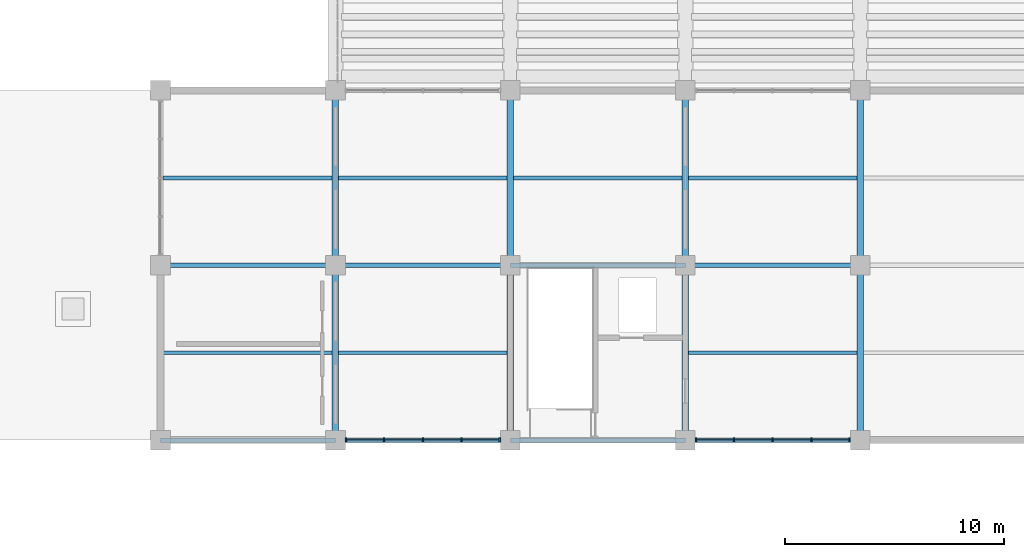
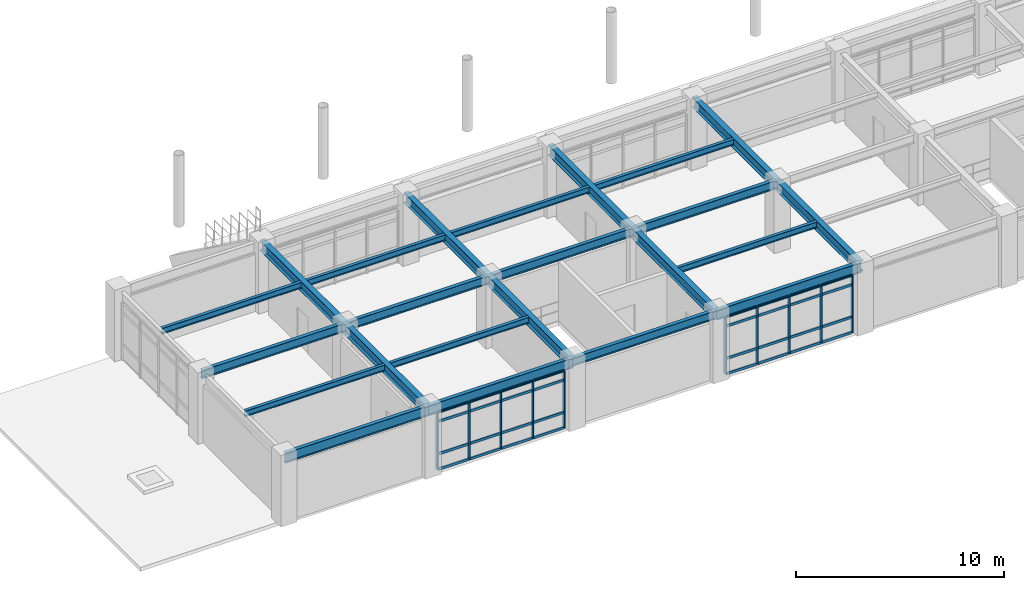
# One storey, part 21 of 118: 42 members, 23 beams, 2 elements without a shape of their own.
"""IFC4 building model written with IfcOpenShell, lengths in metres."""

from ifc_helpers import new_model, si_unit, direction, frame, origin, origin_2d, place, context, subcontext, project, spatial, rectangle, i_section, extrude, material, layer, layer_set, material_profile, profile_set, type_object, element, aggregate, save


model = new_model("IFC4")

# Units and contexts
model_context = context("Model", 3, precision=1e-05, world=origin(), true_north=direction((0.0, 1.0)))
body_context = subcontext(model_context, "Body", "Model", "MODEL_VIEW")
ifc_project = project(units=[si_unit("LENGTHUNIT", "METRE"), si_unit("AREAUNIT", "SQUARE_METRE"), si_unit("VOLUMEUNIT", "CUBIC_METRE"), si_unit("PLANEANGLEUNIT", "RADIAN"), si_unit("MASSUNIT", "GRAM", prefix="KILO")], contexts=[model_context])

# Site, building, storey
site_placement = place(None, origin())
site = spatial("IfcSite", under=ifc_project, at=site_placement, CompositionType="ELEMENT")
building_placement = place(site_placement, origin())
building = spatial("IfcBuilding", under=site, at=building_placement, Name="Haebicheon Civic Stadium", CompositionType="ELEMENT")
storey_placement = place(building_placement, frame((0.0, 0.0, 14.39990234375)))
storey = spatial("IfcBuildingStorey", under=building, at=storey_placement, Name="L04", CompositionType="ELEMENT", Elevation=14.39990234375)

# Beams
ifc_material_1 = material(Name="Steel SM355 (S355)", Category="steel")
ifc_material_profile_1 = material_profile(ifc_material_1, i_section(OverallWidth=0.199951171875, OverallDepth=0.5, WebThickness=0.010009765625, FlangeThickness=0.01611328125, at=origin_2d()), Name="H-500x200x10x16")
ifc_profile_set_1 = profile_set([ifc_material_profile_1], Name="Steel SM355 (S355)")
beam_type_1 = type_object("IfcBeamType", Name="BM-ST-H500", PredefinedType="BEAM", material=ifc_profile_set_1)
for number, where, z_axis, x_axis, name in (
    (1, (72.0, 24.0, 3.72998046875), (1.0, 0.0, 0.0), (0.0, 1.0, 0.0), "L04 beam D/10-11"),
    (2, (80.0, 24.0, 3.72998046875), (1.0, 0.0, 0.0), (0.0, 1.0, 0.0), "L04 beam D/11-12"),
    (3, (88.0, 16.0, 3.72998046875), (1.0, 0.0, 0.0), (0.0, 1.0, 0.0), "L04 beam C/12-13"),
    (4, (88.0, 24.0, 3.72998046875), (1.0, 0.0, 0.0), (0.0, 1.0, 0.0), "L04 beam D/12-13"),
    (5, (96.0, 24.0, 3.72998046875), (1.0, 0.0, 0.0), (0.0, 1.0, 0.0), "L04 beam D/13-14"),
):
    element("IfcBeam", number, at=place(storey_placement, frame(where, z_axis=z_axis, x_axis=x_axis)), inside=storey, type_object=beam_type_1, material=ifc_profile_set_1, Name=name, PredefinedType="BEAM", context=body_context, shape_type="SweptSolid", body=[
        extrude(i_section(OverallWidth=0.199951171875, OverallDepth=0.5, WebThickness=0.010009765625, FlangeThickness=0.01611328125, at=origin_2d()), origin(), (0.0, 0.0, 1.0), 8.0),
    ])
ifc_material_2 = material(Name="Steel SM355 (S355)", Category="steel")
ifc_material_profile_2 = material_profile(ifc_material_2, i_section(OverallWidth=0.300048828125, OverallDepth=0.60009765625, WebThickness=0.011962890625, FlangeThickness=0.02001953125, at=origin_2d()), Name="H-600x300x12x20")
ifc_profile_set_2 = profile_set([ifc_material_profile_2], Name="Steel SM355 (S355)")
beam_type_2 = type_object("IfcBeamType", Name="BM-ST-H600A", PredefinedType="BEAM", material=ifc_profile_set_2)
for number, where, z_axis, x_axis, name in (
    (6, (80.0, 16.0, 3.68017578125), (0.0, 1.0, 0.0), (-1.0, 0.0, 0.0), "L04 girder 11/C-D"),
    (7, (80.0, 24.0, 3.68017578125), (0.0, 1.0, 0.0), (-1.0, 0.0, 0.0), "L04 girder 11/D-E"),
    (8, (88.0, 16.0, 3.68017578125), (0.0, 1.0, 0.0), (-1.0, 0.0, 0.0), "L04 girder 12/C-D"),
    (9, (88.0, 24.0, 3.68017578125), (0.0, 1.0, 0.0), (-1.0, 0.0, 0.0), "L04 girder 12/D-E"),
    (10, (96.0, 16.0, 3.68017578125), (0.0, 1.0, 0.0), (-1.0, 0.0, 0.0), "L04 girder 13/C-D"),
    (11, (96.0, 24.0, 3.68017578125), (0.0, 1.0, 0.0), (-1.0, 0.0, 0.0), "L04 girder 13/D-E"),
    (12, (104.0, 16.0, 3.68017578125), (0.0, 1.0, 0.0), (-1.0, 0.0, 0.0), "L04 girder 14/C-D"),
    (13, (104.0, 24.0, 3.68017578125), (0.0, 1.0, 0.0), (-1.0, 0.0, 0.0), "L04 girder 14/D-E"),
):
    element("IfcBeam", number, at=place(storey_placement, frame(where, z_axis=z_axis, x_axis=x_axis)), inside=storey, type_object=beam_type_2, material=ifc_profile_set_2, Name=name, PredefinedType="BEAM", context=body_context, shape_type="SweptSolid", body=[
        extrude(i_section(OverallWidth=0.300048828125, OverallDepth=0.60009765625, WebThickness=0.011962890625, FlangeThickness=0.02001953125, at=origin_2d()), origin(), (0.0, 0.0, 1.0), 8.0),
    ])

# Curtain wall, members
ifc_material_3 = material(Name="Anodised aluminium and laminated glass", Category="aluminium")
ifc_layer = layer(ifc_material_3, 0.179931640625, Name="Anodised aluminium and laminated glass")
ifc_layer_set = layer_set([ifc_layer], Name="Anodised aluminium and laminated glass")
curtain_wall_type = type_object("IfcCurtainWallType", Name="CW-7100x3350", PredefinedType="NOTDEFINED", material=ifc_layer_set)
curtain_wall_1_placement = place(storey_placement, origin())
curtain_wall_1 = element("IfcCurtainWall", 14, at=curtain_wall_1_placement, inside=storey, type_object=curtain_wall_type, material=ifc_layer_set, Name="L04 unitised curtain wall 129", PredefinedType="NOTDEFINED")
ifc_material_4 = material(Name="Anodised aluminium 6063-T6", Category="aluminium")
ifc_material_profile_3 = material_profile(ifc_material_4, rectangle(XDim=0.070068359375, YDim=0.199951171875, at=origin_2d()), Name="ALU-MULL-70x200")
ifc_profile_set_3 = profile_set([ifc_material_profile_3], Name="Anodised aluminium 6063-T6")
member_type_1 = type_object("IfcMemberType", Name="CWM-200x70", PredefinedType="MULLION", material=ifc_profile_set_3)
member_1_placement = place(storey_placement, frame((80.485107421875, 16.0, 0.0), z_axis=(0.0, 0.0, 1.0), x_axis=(1.0, 0.0, 0.0)))
member_1 = element("IfcMember", 15, at=member_1_placement, type_object=member_type_1, material=ifc_profile_set_3, Name="CW-L04-129 vertical mullion 1", PredefinedType="MULLION", context=body_context, shape_type="SweptSolid", body=[
    extrude(rectangle(XDim=0.070068359375, YDim=0.199951171875, at=origin_2d()), origin(), (0.0, 0.0, 1.0), 3.35009765625),
])
member_2_placement = place(storey_placement, frame((82.22509765625, 16.0, 0.0), z_axis=(0.0, 0.0, 1.0), x_axis=(1.0, 0.0, 0.0)))
member_2 = element("IfcMember", 16, at=member_2_placement, type_object=member_type_1, material=ifc_profile_set_3, Name="CW-L04-129 vertical mullion 2", PredefinedType="MULLION", context=body_context, shape_type="SweptSolid", body=[
    extrude(rectangle(XDim=0.070068359375, YDim=0.199951171875, at=origin_2d()), origin(), (0.0, 0.0, 1.0), 3.35009765625),
])
member_3_placement = place(storey_placement, frame((84.0, 16.0, 0.0), z_axis=(0.0, 0.0, 1.0), x_axis=(1.0, 0.0, 0.0)))
member_3 = element("IfcMember", 17, at=member_3_placement, type_object=member_type_1, material=ifc_profile_set_3, Name="CW-L04-129 vertical mullion 3", PredefinedType="MULLION", context=body_context, shape_type="SweptSolid", body=[
    extrude(rectangle(XDim=0.070068359375, YDim=0.199951171875, at=origin_2d()), origin(), (0.0, 0.0, 1.0), 3.35009765625),
])
member_4_placement = place(storey_placement, frame((85.77490234375, 16.0, 0.0), z_axis=(0.0, 0.0, 1.0), x_axis=(1.0, 0.0, 0.0)))
member_4 = element("IfcMember", 18, at=member_4_placement, type_object=member_type_1, material=ifc_profile_set_3, Name="CW-L04-129 vertical mullion 4", PredefinedType="MULLION", context=body_context, shape_type="SweptSolid", body=[
    extrude(rectangle(XDim=0.070068359375, YDim=0.199951171875, at=origin_2d()), origin(), (0.0, 0.0, 1.0), 3.35009765625),
])
member_5_placement = place(storey_placement, frame((87.514892578125, 16.0, 0.0), z_axis=(0.0, 0.0, 1.0), x_axis=(1.0, 0.0, 0.0)))
member_5 = element("IfcMember", 19, at=member_5_placement, type_object=member_type_1, material=ifc_profile_set_3, Name="CW-L04-129 vertical mullion 5", PredefinedType="MULLION", context=body_context, shape_type="SweptSolid", body=[
    extrude(rectangle(XDim=0.070068359375, YDim=0.199951171875, at=origin_2d()), origin(), (0.0, 0.0, 1.0), 3.35009765625),
])

curtain_wall_2_placement = place(storey_placement, origin())
curtain_wall_2 = element("IfcCurtainWall", 20, at=curtain_wall_2_placement, inside=storey, type_object=curtain_wall_type, material=ifc_layer_set, Name="L04 unitised curtain wall 132", PredefinedType="NOTDEFINED")
member_6_placement = place(storey_placement, frame((96.485107421875, 16.0, 0.0), z_axis=(0.0, 0.0, 1.0), x_axis=(1.0, 0.0, 0.0)))
member_6 = element("IfcMember", 21, at=member_6_placement, type_object=member_type_1, material=ifc_profile_set_3, Name="CW-L04-132 vertical mullion 1", PredefinedType="MULLION", context=body_context, shape_type="SweptSolid", body=[
    extrude(rectangle(XDim=0.070068359375, YDim=0.199951171875, at=origin_2d()), origin(), (0.0, 0.0, 1.0), 3.35009765625),
])
member_7_placement = place(storey_placement, frame((98.22509765625, 16.0, 0.0), z_axis=(0.0, 0.0, 1.0), x_axis=(1.0, 0.0, 0.0)))
member_7 = element("IfcMember", 22, at=member_7_placement, type_object=member_type_1, material=ifc_profile_set_3, Name="CW-L04-132 vertical mullion 2", PredefinedType="MULLION", context=body_context, shape_type="SweptSolid", body=[
    extrude(rectangle(XDim=0.070068359375, YDim=0.199951171875, at=origin_2d()), origin(), (0.0, 0.0, 1.0), 3.35009765625),
])
member_8_placement = place(storey_placement, frame((100.0, 16.0, 0.0), z_axis=(0.0, 0.0, 1.0), x_axis=(1.0, 0.0, 0.0)))
member_8 = element("IfcMember", 23, at=member_8_placement, type_object=member_type_1, material=ifc_profile_set_3, Name="CW-L04-132 vertical mullion 3", PredefinedType="MULLION", context=body_context, shape_type="SweptSolid", body=[
    extrude(rectangle(XDim=0.070068359375, YDim=0.199951171875, at=origin_2d()), origin(), (0.0, 0.0, 1.0), 3.35009765625),
])
member_9_placement = place(storey_placement, frame((101.77490234375, 16.0, 0.0), z_axis=(0.0, 0.0, 1.0), x_axis=(1.0, 0.0, 0.0)))
member_9 = element("IfcMember", 24, at=member_9_placement, type_object=member_type_1, material=ifc_profile_set_3, Name="CW-L04-132 vertical mullion 4", PredefinedType="MULLION", context=body_context, shape_type="SweptSolid", body=[
    extrude(rectangle(XDim=0.070068359375, YDim=0.199951171875, at=origin_2d()), origin(), (0.0, 0.0, 1.0), 3.35009765625),
])
member_10_placement = place(storey_placement, frame((103.514892578125, 16.0, 0.0), z_axis=(0.0, 0.0, 1.0), x_axis=(1.0, 0.0, 0.0)))
member_10 = element("IfcMember", 25, at=member_10_placement, type_object=member_type_1, material=ifc_profile_set_3, Name="CW-L04-132 vertical mullion 5", PredefinedType="MULLION", context=body_context, shape_type="SweptSolid", body=[
    extrude(rectangle(XDim=0.070068359375, YDim=0.199951171875, at=origin_2d()), origin(), (0.0, 0.0, 1.0), 3.35009765625),
])

# Member
ifc_material_5 = material(Name="Anodised aluminium 6063-T6", Category="aluminium")
ifc_material_profile_4 = material_profile(ifc_material_5, rectangle(XDim=0.070068359375, YDim=0.14990234375, at=origin_2d()), Name="ALU-TRAN-70x150")
ifc_profile_set_4 = profile_set([ifc_material_profile_4], Name="Anodised aluminium 6063-T6")
member_type_2 = type_object("IfcMemberType", Name="CWT-150x70", PredefinedType="NOTDEFINED", material=ifc_profile_set_4)
member_11_placement = place(storey_placement, frame((80.52001953125, 16.0, 0.0), z_axis=(1.0, 0.0, 0.0), x_axis=(0.0, 1.0, 0.0)))
member_11 = element("IfcMember", 26, at=member_11_placement, type_object=member_type_2, material=ifc_profile_set_4, Name="CW-L04-129 horizontal transom 1.1", ObjectType="TRANSOM", PredefinedType="USERDEFINED", context=body_context, shape_type="SweptSolid", body=[
    extrude(rectangle(XDim=0.070068359375, YDim=0.14990234375, at=origin_2d()), origin(), (0.0, 0.0, 1.0), 1.669921875),
])

member_12_placement = place(storey_placement, frame((80.52001953125, 16.0, 0.900146484375), z_axis=(1.0, 0.0, 0.0), x_axis=(0.0, 1.0, 0.0)))
member_12 = element("IfcMember", 27, at=member_12_placement, type_object=member_type_2, material=ifc_profile_set_4, Name="CW-L04-129 horizontal transom 1.2", ObjectType="TRANSOM", PredefinedType="USERDEFINED", context=body_context, shape_type="SweptSolid", body=[
    extrude(rectangle(XDim=0.070068359375, YDim=0.14990234375, at=origin_2d()), origin(), (0.0, 0.0, 1.0), 1.669921875),
])

member_13_placement = place(storey_placement, frame((80.52001953125, 16.0, 2.800048828125), z_axis=(1.0, 0.0, 0.0), x_axis=(0.0, 1.0, 0.0)))
member_13 = element("IfcMember", 28, at=member_13_placement, type_object=member_type_2, material=ifc_profile_set_4, Name="CW-L04-129 horizontal transom 1.3", ObjectType="TRANSOM", PredefinedType="USERDEFINED", context=body_context, shape_type="SweptSolid", body=[
    extrude(rectangle(XDim=0.070068359375, YDim=0.14990234375, at=origin_2d()), origin(), (0.0, 0.0, 1.0), 1.669921875),
])

member_14_placement = place(storey_placement, frame((80.52001953125, 16.0, 3.35009765625), z_axis=(1.0, 0.0, 0.0), x_axis=(0.0, 1.0, 0.0)))
member_14 = element("IfcMember", 29, at=member_14_placement, type_object=member_type_2, material=ifc_profile_set_4, Name="CW-L04-129 horizontal transom 1.4", ObjectType="TRANSOM", PredefinedType="USERDEFINED", context=body_context, shape_type="SweptSolid", body=[
    extrude(rectangle(XDim=0.070068359375, YDim=0.14990234375, at=origin_2d()), origin(), (0.0, 0.0, 1.0), 1.669921875),
])

member_15_placement = place(storey_placement, frame((82.260009765625, 16.0, 0.0), z_axis=(1.0, 0.0, 0.0), x_axis=(0.0, 1.0, 0.0)))
member_15 = element("IfcMember", 30, at=member_15_placement, type_object=member_type_2, material=ifc_profile_set_4, Name="CW-L04-129 horizontal transom 2.1", ObjectType="TRANSOM", PredefinedType="USERDEFINED", context=body_context, shape_type="SweptSolid", body=[
    extrude(rectangle(XDim=0.070068359375, YDim=0.14990234375, at=origin_2d()), origin(), (0.0, 0.0, 1.0), 1.705078125),
])

member_16_placement = place(storey_placement, frame((82.260009765625, 16.0, 0.900146484375), z_axis=(1.0, 0.0, 0.0), x_axis=(0.0, 1.0, 0.0)))
member_16 = element("IfcMember", 31, at=member_16_placement, type_object=member_type_2, material=ifc_profile_set_4, Name="CW-L04-129 horizontal transom 2.2", ObjectType="TRANSOM", PredefinedType="USERDEFINED", context=body_context, shape_type="SweptSolid", body=[
    extrude(rectangle(XDim=0.070068359375, YDim=0.14990234375, at=origin_2d()), origin(), (0.0, 0.0, 1.0), 1.705078125),
])

member_17_placement = place(storey_placement, frame((82.260009765625, 16.0, 2.800048828125), z_axis=(1.0, 0.0, 0.0), x_axis=(0.0, 1.0, 0.0)))
member_17 = element("IfcMember", 32, at=member_17_placement, type_object=member_type_2, material=ifc_profile_set_4, Name="CW-L04-129 horizontal transom 2.3", ObjectType="TRANSOM", PredefinedType="USERDEFINED", context=body_context, shape_type="SweptSolid", body=[
    extrude(rectangle(XDim=0.070068359375, YDim=0.14990234375, at=origin_2d()), origin(), (0.0, 0.0, 1.0), 1.705078125),
])

member_18_placement = place(storey_placement, frame((82.260009765625, 16.0, 3.35009765625), z_axis=(1.0, 0.0, 0.0), x_axis=(0.0, 1.0, 0.0)))
member_18 = element("IfcMember", 33, at=member_18_placement, type_object=member_type_2, material=ifc_profile_set_4, Name="CW-L04-129 horizontal transom 2.4", ObjectType="TRANSOM", PredefinedType="USERDEFINED", context=body_context, shape_type="SweptSolid", body=[
    extrude(rectangle(XDim=0.070068359375, YDim=0.14990234375, at=origin_2d()), origin(), (0.0, 0.0, 1.0), 1.705078125),
])

member_19_placement = place(storey_placement, frame((84.034912109375, 16.0, 0.0), z_axis=(1.0, 0.0, 0.0), x_axis=(0.0, 1.0, 0.0)))
member_19 = element("IfcMember", 34, at=member_19_placement, type_object=member_type_2, material=ifc_profile_set_4, Name="CW-L04-129 horizontal transom 3.1", ObjectType="TRANSOM", PredefinedType="USERDEFINED", context=body_context, shape_type="SweptSolid", body=[
    extrude(rectangle(XDim=0.070068359375, YDim=0.14990234375, at=origin_2d()), origin(), (0.0, 0.0, 1.0), 1.705078125),
])

member_20_placement = place(storey_placement, frame((84.034912109375, 16.0, 0.900146484375), z_axis=(1.0, 0.0, 0.0), x_axis=(0.0, 1.0, 0.0)))
member_20 = element("IfcMember", 35, at=member_20_placement, type_object=member_type_2, material=ifc_profile_set_4, Name="CW-L04-129 horizontal transom 3.2", ObjectType="TRANSOM", PredefinedType="USERDEFINED", context=body_context, shape_type="SweptSolid", body=[
    extrude(rectangle(XDim=0.070068359375, YDim=0.14990234375, at=origin_2d()), origin(), (0.0, 0.0, 1.0), 1.705078125),
])

member_21_placement = place(storey_placement, frame((84.034912109375, 16.0, 2.800048828125), z_axis=(1.0, 0.0, 0.0), x_axis=(0.0, 1.0, 0.0)))
member_21 = element("IfcMember", 36, at=member_21_placement, type_object=member_type_2, material=ifc_profile_set_4, Name="CW-L04-129 horizontal transom 3.3", ObjectType="TRANSOM", PredefinedType="USERDEFINED", context=body_context, shape_type="SweptSolid", body=[
    extrude(rectangle(XDim=0.070068359375, YDim=0.14990234375, at=origin_2d()), origin(), (0.0, 0.0, 1.0), 1.705078125),
])

member_22_placement = place(storey_placement, frame((84.034912109375, 16.0, 3.35009765625), z_axis=(1.0, 0.0, 0.0), x_axis=(0.0, 1.0, 0.0)))
member_22 = element("IfcMember", 37, at=member_22_placement, type_object=member_type_2, material=ifc_profile_set_4, Name="CW-L04-129 horizontal transom 3.4", ObjectType="TRANSOM", PredefinedType="USERDEFINED", context=body_context, shape_type="SweptSolid", body=[
    extrude(rectangle(XDim=0.070068359375, YDim=0.14990234375, at=origin_2d()), origin(), (0.0, 0.0, 1.0), 1.705078125),
])

member_23_placement = place(storey_placement, frame((85.81005859375, 16.0, 0.0), z_axis=(1.0, 0.0, 0.0), x_axis=(0.0, 1.0, 0.0)))
member_23 = element("IfcMember", 38, at=member_23_placement, type_object=member_type_2, material=ifc_profile_set_4, Name="CW-L04-129 horizontal transom 4.1", ObjectType="TRANSOM", PredefinedType="USERDEFINED", context=body_context, shape_type="SweptSolid", body=[
    extrude(rectangle(XDim=0.070068359375, YDim=0.14990234375, at=origin_2d()), origin(), (0.0, 0.0, 1.0), 1.669921875),
])

member_24_placement = place(storey_placement, frame((85.81005859375, 16.0, 0.900146484375), z_axis=(1.0, 0.0, 0.0), x_axis=(0.0, 1.0, 0.0)))
member_24 = element("IfcMember", 39, at=member_24_placement, type_object=member_type_2, material=ifc_profile_set_4, Name="CW-L04-129 horizontal transom 4.2", ObjectType="TRANSOM", PredefinedType="USERDEFINED", context=body_context, shape_type="SweptSolid", body=[
    extrude(rectangle(XDim=0.070068359375, YDim=0.14990234375, at=origin_2d()), origin(), (0.0, 0.0, 1.0), 1.669921875),
])

member_25_placement = place(storey_placement, frame((85.81005859375, 16.0, 2.800048828125), z_axis=(1.0, 0.0, 0.0), x_axis=(0.0, 1.0, 0.0)))
member_25 = element("IfcMember", 40, at=member_25_placement, type_object=member_type_2, material=ifc_profile_set_4, Name="CW-L04-129 horizontal transom 4.3", ObjectType="TRANSOM", PredefinedType="USERDEFINED", context=body_context, shape_type="SweptSolid", body=[
    extrude(rectangle(XDim=0.070068359375, YDim=0.14990234375, at=origin_2d()), origin(), (0.0, 0.0, 1.0), 1.669921875),
])

member_26_placement = place(storey_placement, frame((85.81005859375, 16.0, 3.35009765625), z_axis=(1.0, 0.0, 0.0), x_axis=(0.0, 1.0, 0.0)))
member_26 = element("IfcMember", 41, at=member_26_placement, type_object=member_type_2, material=ifc_profile_set_4, Name="CW-L04-129 horizontal transom 4.4", ObjectType="TRANSOM", PredefinedType="USERDEFINED", context=body_context, shape_type="SweptSolid", body=[
    extrude(rectangle(XDim=0.070068359375, YDim=0.14990234375, at=origin_2d()), origin(), (0.0, 0.0, 1.0), 1.669921875),
])

aggregate(curtain_wall_1, [member_1, member_2, member_3, member_4, member_5, member_11, member_12, member_13, member_14, member_15, member_16, member_17, member_18, member_19, member_20, member_21, member_22, member_23, member_24, member_25, member_26])

member_27_placement = place(storey_placement, frame((96.52001953125, 16.0, 0.0), z_axis=(1.0, 0.0, 0.0), x_axis=(0.0, 1.0, 0.0)))
member_27 = element("IfcMember", 42, at=member_27_placement, type_object=member_type_2, material=ifc_profile_set_4, Name="CW-L04-132 horizontal transom 1.1", ObjectType="TRANSOM", PredefinedType="USERDEFINED", context=body_context, shape_type="SweptSolid", body=[
    extrude(rectangle(XDim=0.070068359375, YDim=0.14990234375, at=origin_2d()), origin(), (0.0, 0.0, 1.0), 1.669921875),
])

member_28_placement = place(storey_placement, frame((96.52001953125, 16.0, 0.900146484375), z_axis=(1.0, 0.0, 0.0), x_axis=(0.0, 1.0, 0.0)))
member_28 = element("IfcMember", 43, at=member_28_placement, type_object=member_type_2, material=ifc_profile_set_4, Name="CW-L04-132 horizontal transom 1.2", ObjectType="TRANSOM", PredefinedType="USERDEFINED", context=body_context, shape_type="SweptSolid", body=[
    extrude(rectangle(XDim=0.070068359375, YDim=0.14990234375, at=origin_2d()), origin(), (0.0, 0.0, 1.0), 1.669921875),
])

member_29_placement = place(storey_placement, frame((96.52001953125, 16.0, 2.800048828125), z_axis=(1.0, 0.0, 0.0), x_axis=(0.0, 1.0, 0.0)))
member_29 = element("IfcMember", 44, at=member_29_placement, type_object=member_type_2, material=ifc_profile_set_4, Name="CW-L04-132 horizontal transom 1.3", ObjectType="TRANSOM", PredefinedType="USERDEFINED", context=body_context, shape_type="SweptSolid", body=[
    extrude(rectangle(XDim=0.070068359375, YDim=0.14990234375, at=origin_2d()), origin(), (0.0, 0.0, 1.0), 1.669921875),
])

member_30_placement = place(storey_placement, frame((96.52001953125, 16.0, 3.35009765625), z_axis=(1.0, 0.0, 0.0), x_axis=(0.0, 1.0, 0.0)))
member_30 = element("IfcMember", 45, at=member_30_placement, type_object=member_type_2, material=ifc_profile_set_4, Name="CW-L04-132 horizontal transom 1.4", ObjectType="TRANSOM", PredefinedType="USERDEFINED", context=body_context, shape_type="SweptSolid", body=[
    extrude(rectangle(XDim=0.070068359375, YDim=0.14990234375, at=origin_2d()), origin(), (0.0, 0.0, 1.0), 1.669921875),
])

member_31_placement = place(storey_placement, frame((98.260009765625, 16.0, 0.0), z_axis=(1.0, 0.0, 0.0), x_axis=(0.0, 1.0, 0.0)))
member_31 = element("IfcMember", 46, at=member_31_placement, type_object=member_type_2, material=ifc_profile_set_4, Name="CW-L04-132 horizontal transom 2.1", ObjectType="TRANSOM", PredefinedType="USERDEFINED", context=body_context, shape_type="SweptSolid", body=[
    extrude(rectangle(XDim=0.070068359375, YDim=0.14990234375, at=origin_2d()), origin(), (0.0, 0.0, 1.0), 1.705078125),
])

member_32_placement = place(storey_placement, frame((98.260009765625, 16.0, 0.900146484375), z_axis=(1.0, 0.0, 0.0), x_axis=(0.0, 1.0, 0.0)))
member_32 = element("IfcMember", 47, at=member_32_placement, type_object=member_type_2, material=ifc_profile_set_4, Name="CW-L04-132 horizontal transom 2.2", ObjectType="TRANSOM", PredefinedType="USERDEFINED", context=body_context, shape_type="SweptSolid", body=[
    extrude(rectangle(XDim=0.070068359375, YDim=0.14990234375, at=origin_2d()), origin(), (0.0, 0.0, 1.0), 1.705078125),
])

member_33_placement = place(storey_placement, frame((98.260009765625, 16.0, 2.800048828125), z_axis=(1.0, 0.0, 0.0), x_axis=(0.0, 1.0, 0.0)))
member_33 = element("IfcMember", 48, at=member_33_placement, type_object=member_type_2, material=ifc_profile_set_4, Name="CW-L04-132 horizontal transom 2.3", ObjectType="TRANSOM", PredefinedType="USERDEFINED", context=body_context, shape_type="SweptSolid", body=[
    extrude(rectangle(XDim=0.070068359375, YDim=0.14990234375, at=origin_2d()), origin(), (0.0, 0.0, 1.0), 1.705078125),
])

member_34_placement = place(storey_placement, frame((98.260009765625, 16.0, 3.35009765625), z_axis=(1.0, 0.0, 0.0), x_axis=(0.0, 1.0, 0.0)))
member_34 = element("IfcMember", 49, at=member_34_placement, type_object=member_type_2, material=ifc_profile_set_4, Name="CW-L04-132 horizontal transom 2.4", ObjectType="TRANSOM", PredefinedType="USERDEFINED", context=body_context, shape_type="SweptSolid", body=[
    extrude(rectangle(XDim=0.070068359375, YDim=0.14990234375, at=origin_2d()), origin(), (0.0, 0.0, 1.0), 1.705078125),
])

member_35_placement = place(storey_placement, frame((100.034912109375, 16.0, 0.0), z_axis=(1.0, 0.0, 0.0), x_axis=(0.0, 1.0, 0.0)))
member_35 = element("IfcMember", 50, at=member_35_placement, type_object=member_type_2, material=ifc_profile_set_4, Name="CW-L04-132 horizontal transom 3.1", ObjectType="TRANSOM", PredefinedType="USERDEFINED", context=body_context, shape_type="SweptSolid", body=[
    extrude(rectangle(XDim=0.070068359375, YDim=0.14990234375, at=origin_2d()), origin(), (0.0, 0.0, 1.0), 1.705078125),
])

member_36_placement = place(storey_placement, frame((100.034912109375, 16.0, 0.900146484375), z_axis=(1.0, 0.0, 0.0), x_axis=(0.0, 1.0, 0.0)))
member_36 = element("IfcMember", 51, at=member_36_placement, type_object=member_type_2, material=ifc_profile_set_4, Name="CW-L04-132 horizontal transom 3.2", ObjectType="TRANSOM", PredefinedType="USERDEFINED", context=body_context, shape_type="SweptSolid", body=[
    extrude(rectangle(XDim=0.070068359375, YDim=0.14990234375, at=origin_2d()), origin(), (0.0, 0.0, 1.0), 1.705078125),
])

member_37_placement = place(storey_placement, frame((100.034912109375, 16.0, 2.800048828125), z_axis=(1.0, 0.0, 0.0), x_axis=(0.0, 1.0, 0.0)))
member_37 = element("IfcMember", 52, at=member_37_placement, type_object=member_type_2, material=ifc_profile_set_4, Name="CW-L04-132 horizontal transom 3.3", ObjectType="TRANSOM", PredefinedType="USERDEFINED", context=body_context, shape_type="SweptSolid", body=[
    extrude(rectangle(XDim=0.070068359375, YDim=0.14990234375, at=origin_2d()), origin(), (0.0, 0.0, 1.0), 1.705078125),
])

member_38_placement = place(storey_placement, frame((100.034912109375, 16.0, 3.35009765625), z_axis=(1.0, 0.0, 0.0), x_axis=(0.0, 1.0, 0.0)))
member_38 = element("IfcMember", 53, at=member_38_placement, type_object=member_type_2, material=ifc_profile_set_4, Name="CW-L04-132 horizontal transom 3.4", ObjectType="TRANSOM", PredefinedType="USERDEFINED", context=body_context, shape_type="SweptSolid", body=[
    extrude(rectangle(XDim=0.070068359375, YDim=0.14990234375, at=origin_2d()), origin(), (0.0, 0.0, 1.0), 1.705078125),
])

member_39_placement = place(storey_placement, frame((101.81005859375, 16.0, 0.0), z_axis=(1.0, 0.0, 0.0), x_axis=(0.0, 1.0, 0.0)))
member_39 = element("IfcMember", 54, at=member_39_placement, type_object=member_type_2, material=ifc_profile_set_4, Name="CW-L04-132 horizontal transom 4.1", ObjectType="TRANSOM", PredefinedType="USERDEFINED", context=body_context, shape_type="SweptSolid", body=[
    extrude(rectangle(XDim=0.070068359375, YDim=0.14990234375, at=origin_2d()), origin(), (0.0, 0.0, 1.0), 1.669921875),
])

member_40_placement = place(storey_placement, frame((101.81005859375, 16.0, 0.900146484375), z_axis=(1.0, 0.0, 0.0), x_axis=(0.0, 1.0, 0.0)))
member_40 = element("IfcMember", 55, at=member_40_placement, type_object=member_type_2, material=ifc_profile_set_4, Name="CW-L04-132 horizontal transom 4.2", ObjectType="TRANSOM", PredefinedType="USERDEFINED", context=body_context, shape_type="SweptSolid", body=[
    extrude(rectangle(XDim=0.070068359375, YDim=0.14990234375, at=origin_2d()), origin(), (0.0, 0.0, 1.0), 1.669921875),
])

member_41_placement = place(storey_placement, frame((101.81005859375, 16.0, 2.800048828125), z_axis=(1.0, 0.0, 0.0), x_axis=(0.0, 1.0, 0.0)))
member_41 = element("IfcMember", 56, at=member_41_placement, type_object=member_type_2, material=ifc_profile_set_4, Name="CW-L04-132 horizontal transom 4.3", ObjectType="TRANSOM", PredefinedType="USERDEFINED", context=body_context, shape_type="SweptSolid", body=[
    extrude(rectangle(XDim=0.070068359375, YDim=0.14990234375, at=origin_2d()), origin(), (0.0, 0.0, 1.0), 1.669921875),
])

member_42_placement = place(storey_placement, frame((101.81005859375, 16.0, 3.35009765625), z_axis=(1.0, 0.0, 0.0), x_axis=(0.0, 1.0, 0.0)))
member_42 = element("IfcMember", 57, at=member_42_placement, type_object=member_type_2, material=ifc_profile_set_4, Name="CW-L04-132 horizontal transom 4.4", ObjectType="TRANSOM", PredefinedType="USERDEFINED", context=body_context, shape_type="SweptSolid", body=[
    extrude(rectangle(XDim=0.070068359375, YDim=0.14990234375, at=origin_2d()), origin(), (0.0, 0.0, 1.0), 1.669921875),
])

aggregate(curtain_wall_2, [member_6, member_7, member_8, member_9, member_10, member_27, member_28, member_29, member_30, member_31, member_32, member_33, member_34, member_35, member_36, member_37, member_38, member_39, member_40, member_41, member_42])

# Beams
ifc_material_6 = material(Name="Steel SM355 (S355)", Category="steel")
ifc_material_profile_5 = material_profile(ifc_material_6, i_section(OverallWidth=0.175048828125, OverallDepth=0.35009765625, WebThickness=0.007080078125, FlangeThickness=0.010986328125, at=origin_2d()), Name="H-350x175x7x11")
ifc_profile_set_5 = profile_set([ifc_material_profile_5], Name="Steel SM355 (S355)")
beam_type_3 = type_object("IfcBeamType", Name="JST-ST-H350", PredefinedType="JOIST", material=ifc_profile_set_5)
for number, where, z_axis, x_axis, name in (
    (58, (72.10009765625, 20.0, 3.80517578125), (1.0, 0.0, 0.0), (0.0, 1.0, 0.0), "L04 secondary joist 09-02"),
    (59, (72.10009765625, 28.0, 3.80517578125), (1.0, 0.0, 0.0), (0.0, 1.0, 0.0), "L04 secondary joist 09-03"),
):
    element("IfcBeam", number, at=place(storey_placement, frame(where, z_axis=z_axis, x_axis=x_axis)), inside=storey, type_object=beam_type_3, material=ifc_profile_set_5, Name=name, PredefinedType="JOIST", context=body_context, shape_type="SweptSolid", body=[
        extrude(i_section(OverallWidth=0.175048828125, OverallDepth=0.35009765625, WebThickness=0.007080078125, FlangeThickness=0.010986328125, at=origin_2d()), origin(), (0.0, 0.0, 1.0), 7.75),
    ])
for number, where, z_axis, x_axis, name in (
    (60, (80.14990234375, 20.0, 3.80517578125), (1.0, 0.0, 0.0), (0.0, 1.0, 0.0), "L04 secondary joist 10-02"),
    (61, (80.14990234375, 28.0, 3.80517578125), (1.0, 0.0, 0.0), (0.0, 1.0, 0.0), "L04 secondary joist 10-03"),
    (62, (88.14990234375, 28.0, 3.80517578125), (1.0, 0.0, 0.0), (0.0, 1.0, 0.0), "L04 secondary joist 11-03"),
    (63, (96.14990234375, 20.0, 3.80517578125), (1.0, 0.0, 0.0), (0.0, 1.0, 0.0), "L04 secondary joist 12-02"),
    (64, (96.14990234375, 28.0, 3.80517578125), (1.0, 0.0, 0.0), (0.0, 1.0, 0.0), "L04 secondary joist 12-03"),
):
    element("IfcBeam", number, at=place(storey_placement, frame(where, z_axis=z_axis, x_axis=x_axis)), inside=storey, type_object=beam_type_3, material=ifc_profile_set_5, Name=name, PredefinedType="JOIST", context=body_context, shape_type="SweptSolid", body=[
        extrude(i_section(OverallWidth=0.175048828125, OverallDepth=0.35009765625, WebThickness=0.007080078125, FlangeThickness=0.010986328125, at=origin_2d()), origin(), (0.0, 0.0, 1.0), 7.7001953125),
    ])
ifc_material_7 = material(Name="Steel SM355 (S355)", Category="steel")
ifc_material_profile_6 = material_profile(ifc_material_7, i_section(OverallWidth=0.199951171875, OverallDepth=0.60009765625, WebThickness=0.010986328125, FlangeThickness=0.01708984375, at=origin_2d()), Name="H-600x200x11x17")
ifc_profile_set_6 = profile_set([ifc_material_profile_6], Name="Steel SM355 (S355)")
beam_type_4 = type_object("IfcBeamType", Name="SPD-ST-H600B", PredefinedType="SPANDREL", material=ifc_profile_set_6)
for number, where, z_axis, x_axis, name in (
    (65, (72.0, 16.0, 3.68017578125), (1.0, 0.0, 0.0), (0.0, 1.0, 0.0), "L04 beam C/10-11"),
    (66, (80.0, 16.0, 3.68017578125), (1.0, 0.0, 0.0), (0.0, 1.0, 0.0), "L04 beam C/11-12"),
    (67, (96.0, 16.0, 3.68017578125), (1.0, 0.0, 0.0), (0.0, 1.0, 0.0), "L04 beam C/13-14"),
):
    element("IfcBeam", number, at=place(storey_placement, frame(where, z_axis=z_axis, x_axis=x_axis)), inside=storey, type_object=beam_type_4, material=ifc_profile_set_6, Name=name, PredefinedType="SPANDREL", context=body_context, shape_type="SweptSolid", body=[
        extrude(i_section(OverallWidth=0.199951171875, OverallDepth=0.60009765625, WebThickness=0.010986328125, FlangeThickness=0.01708984375, at=origin_2d()), origin(), (0.0, 0.0, 1.0), 8.0),
    ])

save(model, "model.ifc")
